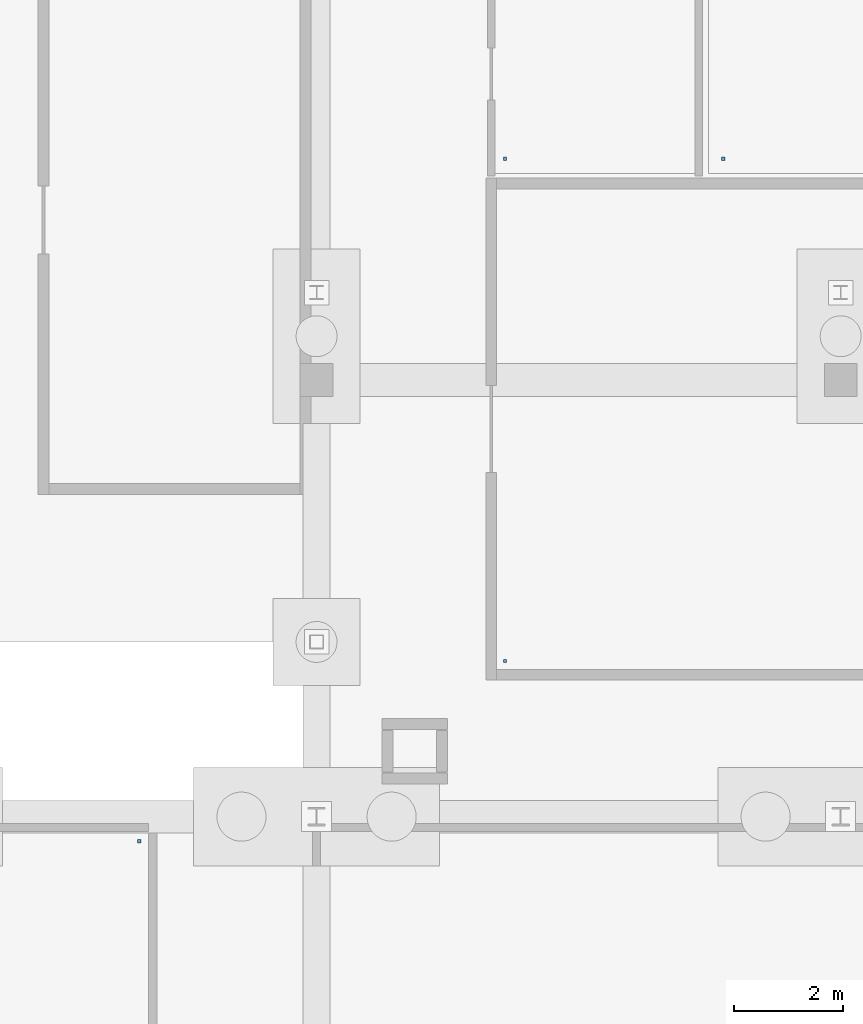
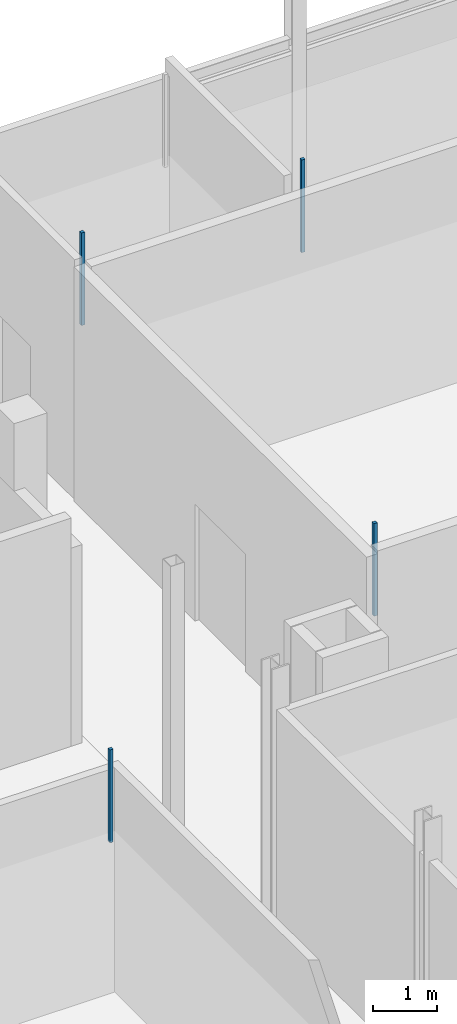
# One storey, part 80 of 111: 4 discrete accessories.
"""IFC4 building model written with IfcOpenShell, lengths in metres."""

import ifcopenshell
import ifcopenshell.guid

model = None  # the IFC model being written
_history = None  # IfcOwnerHistory: only IFC2X3 demands one
_inside = {}  # id of a spatial element -> (the spatial element, [elements in it])
_under = {}  # id of a project, library or spatial element -> (it, [spatial elements below it])
_declared = {}  # id of a project -> (the project, [libraries it declares])
_typed = {}  # id of a type object -> (the type object, [elements of that type])
_made_of = {}  # id of a material, layer set ... -> (it, [elements and type objects made of it])


def new_model(schema):
    """Start an empty IFC model of exactly this schema.

    Asked for "IFC4X3", IfcOpenShell would pick the latest addendum, in which some entities
    have other attributes; the version numbers below select the first issue.
    IFC2X3 requires an IfcOwnerHistory on every rooted entity: one is made here for all.
    """
    global model, _history
    if schema == "IFC4X3":
        model = ifcopenshell.file(schema_version=(4, 3, 0, 0))
    else:
        model = ifcopenshell.file(schema=schema)
    _inside.clear()
    _under.clear()
    _declared.clear()
    _typed.clear()
    _made_of.clear()
    _history = None
    if model.schema == "IFC2X3":
        org = make("IfcOrganization", Name="unknown")
        user = make(
            "IfcPersonAndOrganization",
            ThePerson=make("IfcPerson", FamilyName="unknown"),
            TheOrganization=org,
        )
        app = make(
            "IfcApplication",
            ApplicationDeveloper=org,
            Version="unknown",
            ApplicationFullName="unknown",
            ApplicationIdentifier="unknown",
        )
        _history = make(
            "IfcOwnerHistory",
            OwningUser=user,
            OwningApplication=app,
            ChangeAction="ADDED",
            CreationDate=0,
        )
    return model


def make(cls, **values):
    """One entity of the class cls with the attributes given. An attribute that is None is left unset."""
    return model.create_entity(
        cls, **{name: value for name, value in values.items() if value is not None}
    )


def rooted(cls, **values):
    """An entity with a GlobalId (a new one), such as an element, a storey or a relation."""
    return make(cls, GlobalId=ifcopenshell.guid.new(), OwnerHistory=_history, **values)


def si_unit(unit_type, name, prefix=None):
    """IfcSIUnit, for example si_unit("LENGTHUNIT", "METRE", prefix="MILLI")."""
    return make("IfcSIUnit", UnitType=unit_type, Prefix=prefix, Name=name)


def assignment(units):
    """IfcUnitAssignment: the units of a project."""
    return None if units is None else make("IfcUnitAssignment", Units=units)


def point(xyz):
    """IfcCartesianPoint."""
    return None if xyz is None else make("IfcCartesianPoint", Coordinates=xyz)


def direction(xyz):
    """IfcDirection."""
    return None if xyz is None else make("IfcDirection", DirectionRatios=xyz)


def frame(location, z_axis=None, x_axis=None):
    """IfcAxis2Placement3D, a coordinate frame: its origin and axes. An axis left out is left unset."""
    return make(
        "IfcAxis2Placement3D",
        Location=point(location),
        Axis=direction(z_axis),
        RefDirection=direction(x_axis),
    )


def origin():
    """The frame at (0, 0, 0) with its axes left unset."""
    return frame((0.0, 0.0, 0.0))


def place(relative_to, where):
    """IfcLocalPlacement: puts the frame where relative to a parent placement (None: the world)."""
    return make(
        "IfcLocalPlacement", PlacementRelTo=relative_to, RelativePlacement=where
    )


def context(
    kind, dimensions, precision=None, world=None, true_north=None, identifier=None
):
    """IfcGeometricRepresentationContext, for example the 3D "Model" context."""
    return make(
        "IfcGeometricRepresentationContext",
        ContextIdentifier=identifier,
        ContextType=kind,
        CoordinateSpaceDimension=dimensions,
        Precision=precision,
        WorldCoordinateSystem=world,
        TrueNorth=true_north,
    )


def subcontext(parent, identifier, kind, view, scale=None):
    """IfcGeometricRepresentationSubContext, for example "Body" below "Model"."""
    return make(
        "IfcGeometricRepresentationSubContext",
        ContextIdentifier=identifier,
        ContextType=kind,
        ParentContext=parent,
        TargetScale=scale,
        TargetView=view,
    )


def project(units=None, contexts=None):
    """IfcProject with its units and contexts."""
    return rooted(
        "IfcProject",
        Name="project",
        RepresentationContexts=contexts,
        UnitsInContext=assignment(units),
    )


def spatial(cls, under=None, at=None, **own):
    """A site, building, storey or space (cls), placed at a placement, below another one or the project."""
    s = rooted(cls, ObjectPlacement=at, **own)
    if under is not None:
        _under.setdefault(under.id(), (under, []))[1].append(s)
    return s


def polyline(points):
    """IfcPolyline through the points."""
    return make("IfcPolyline", Points=[point(p) for p in points])


def outline(outer, holes=None, kind="AREA"):
    """IfcArbitraryClosedProfileDef: a profile drawn as a closed curve; with holes, ...WithVoids."""
    if holes is None:
        return make("IfcArbitraryClosedProfileDef", ProfileType=kind, OuterCurve=outer)
    return make(
        "IfcArbitraryProfileDefWithVoids",
        ProfileType=kind,
        OuterCurve=outer,
        InnerCurves=holes,
    )


def extrude(swept, where, along, depth):
    """IfcExtrudedAreaSolid: the profile swept, set in the frame where, extruded along a direction by depth."""
    return make(
        "IfcExtrudedAreaSolid",
        SweptArea=swept,
        Position=where,
        ExtrudedDirection=direction(along),
        Depth=depth,
    )


def shape(context_of_items, identifier, shape_type, items):
    """IfcShapeRepresentation: the items that make up one representation, for example the "Body"."""
    return make(
        "IfcShapeRepresentation",
        ContextOfItems=context_of_items,
        RepresentationIdentifier=identifier,
        RepresentationType=shape_type,
        Items=items,
    )


def material(Name=None, Category=None):
    """IfcMaterial."""
    return make("IfcMaterial", Name=Name, Category=Category)


def made_of(thing, what):
    """Note that an element or type object is made of a material, layer set ...; save() writes the relation."""
    if what is not None:
        _made_of.setdefault(what.id(), (what, []))[1].append(thing)
    return thing


def type_object(cls, material=None, **own):
    """A type object (cls), such as IfcWallType, which elements share."""
    return made_of(rooted(cls, **own), material)


def element(
    cls,
    number,
    at=None,
    inside=None,
    cuts=None,
    type_object=None,
    material=None,
    context=None,
    identifier="Body",
    shape_type=None,
    held_by="IfcProductDefinitionShape",
    body=None,
    shapes=None,
    **own,
):
    """One element of the class cls, such as IfcWall. Its Tag is "e" and its number.

    at: its placement. inside: the storey or other place that contains it. cuts: it is an
    opening in that element (IfcRelVoidsElement). A single representation is given by context,
    identifier, shape_type and body (its items); several are given by shapes. held_by: the class
    of the entity that holds the representations. save() writes the other relations.
    """
    e = rooted(cls, Tag="e%d" % number, ObjectPlacement=at, **own)
    if body is not None:
        shapes = [shape(context, identifier, shape_type, body)]
    if shapes is not None:
        e.Representation = make(held_by, Representations=shapes)
    if inside is not None:
        _inside.setdefault(inside.id(), (inside, []))[1].append(e)
    if cuts is not None:
        rooted(
            "IfcRelVoidsElement", RelatingBuildingElement=cuts, RelatedOpeningElement=e
        )
    if type_object is not None:
        _typed.setdefault(type_object.id(), (type_object, []))[1].append(e)
    return made_of(e, material)


def aggregate(whole, parts):
    """IfcRelAggregates: a whole, such as a stair, and the parts it consists of."""
    return rooted("IfcRelAggregates", RelatingObject=whole, RelatedObjects=parts)


def save(model, path):
    """Write the relations noted so far, then the file.

    IfcRelAggregates (storeys below a building ...), IfcRelContainedInSpatialStructure (elements
    in a storey), IfcRelDefinesByType, IfcRelAssociatesMaterial and IfcRelDeclares: one each for
    every whole, place, type object, material and project.
    """
    for whole, parts in _under.values():
        aggregate(whole, parts)
    for where, things in _inside.values():
        rooted(
            "IfcRelContainedInSpatialStructure",
            RelatedElements=things,
            RelatingStructure=where,
        )
    for kind, things in _typed.values():
        rooted("IfcRelDefinesByType", RelatedObjects=things, RelatingType=kind)
    for what, things in _made_of.values():
        rooted("IfcRelAssociatesMaterial", RelatedObjects=things, RelatingMaterial=what)
    for by, libraries in _declared.values():
        rooted("IfcRelDeclares", RelatingContext=by, RelatedDefinitions=libraries)
    model.write(path)


model = new_model("IFC4")

# Units and contexts
model_context = context("Model", 3, precision=1e-05, world=origin(), true_north=direction((0.0, 1.0)))
body_context = subcontext(model_context, "Body", "Model", "MODEL_VIEW")
ifc_project = project(units=[si_unit("LENGTHUNIT", "METRE"), si_unit("AREAUNIT", "SQUARE_METRE"), si_unit("VOLUMEUNIT", "CUBIC_METRE"), si_unit("PLANEANGLEUNIT", "RADIAN"), si_unit("MASSUNIT", "GRAM", prefix="KILO")], contexts=[model_context])

# Site, building, storey
site_placement = place(None, origin())
site = spatial("IfcSite", under=ifc_project, at=site_placement, CompositionType="ELEMENT")
building_placement = place(site_placement, origin())
building = spatial("IfcBuilding", under=site, at=building_placement, Name="Dunescarp Central Library", CompositionType="ELEMENT")
storey_placement = place(building_placement, origin())
storey = spatial("IfcBuildingStorey", under=building, at=storey_placement, Name="L00", CompositionType="ELEMENT", Elevation=0.0)

# Discrete accessories
ifc_material = material(Name="Stainless steel Grade 316L", Category="steel")
discrete_accessory_type = type_object("IfcDiscreteAccessoryType", Name="ARC-ACC-BRK", PredefinedType="BRACKET", material=ifc_material)
discrete_accessory_1_placement = place(storey_placement, frame((0.0, 0.0, 3.06005859375)))
element("IfcDiscreteAccessory", 1, at=discrete_accessory_1_placement, inside=storey, type_object=discrete_accessory_type, Name="L00 ceiling hanger CLG-L00-092-H2", PredefinedType="BRACKET", context=body_context, shape_type="SweptSolid", body=[
    extrude(outline(polyline([(94.320068359375, 33.1201171875), (94.3798828125, 33.1201171875), (94.3798828125, 33.179931640625), (94.320068359375, 33.179931640625), (94.320068359375, 33.1201171875)])), origin(), (0.0, 0.0, 1.0), 1.780029296875),
])
discrete_accessory_2_placement = place(storey_placement, frame((0.0, 0.0, 3.06005859375)))
element("IfcDiscreteAccessory", 2, at=discrete_accessory_2_placement, inside=storey, type_object=discrete_accessory_type, Name="L00 ceiling hanger CLG-L00-113-H1", PredefinedType="BRACKET", context=body_context, shape_type="SweptSolid", body=[
    extrude(outline(polyline([(101.02001953125, 36.419921875), (101.080078125, 36.419921875), (101.080078125, 36.47998046875), (101.02001953125, 36.47998046875), (101.02001953125, 36.419921875)])), origin(), (0.0, 0.0, 1.0), 1.780029296875),
])
discrete_accessory_3_placement = place(storey_placement, frame((0.0, 0.0, 3.06005859375)))
element("IfcDiscreteAccessory", 3, at=discrete_accessory_3_placement, inside=storey, type_object=discrete_accessory_type, Name="L00 ceiling hanger CLG-L00-114-H1", PredefinedType="BRACKET", context=body_context, shape_type="SweptSolid", body=[
    extrude(outline(polyline([(101.02001953125, 45.6201171875), (101.080078125, 45.6201171875), (101.080078125, 45.679931640625), (101.02001953125, 45.679931640625), (101.02001953125, 45.6201171875)])), origin(), (0.0, 0.0, 1.0), 1.780029296875),
])
discrete_accessory_4_placement = place(storey_placement, frame((0.0, 0.0, 3.06005859375)))
element("IfcDiscreteAccessory", 4, at=discrete_accessory_4_placement, inside=storey, type_object=discrete_accessory_type, Name="L00 ceiling hanger CLG-L00-115-H1", PredefinedType="BRACKET", context=body_context, shape_type="SweptSolid", body=[
    extrude(outline(polyline([(105.02001953125, 45.6201171875), (105.080078125, 45.6201171875), (105.080078125, 45.679931640625), (105.02001953125, 45.679931640625), (105.02001953125, 45.6201171875)])), origin(), (0.0, 0.0, 1.0), 1.780029296875),
])

save(model, "model.ifc")
